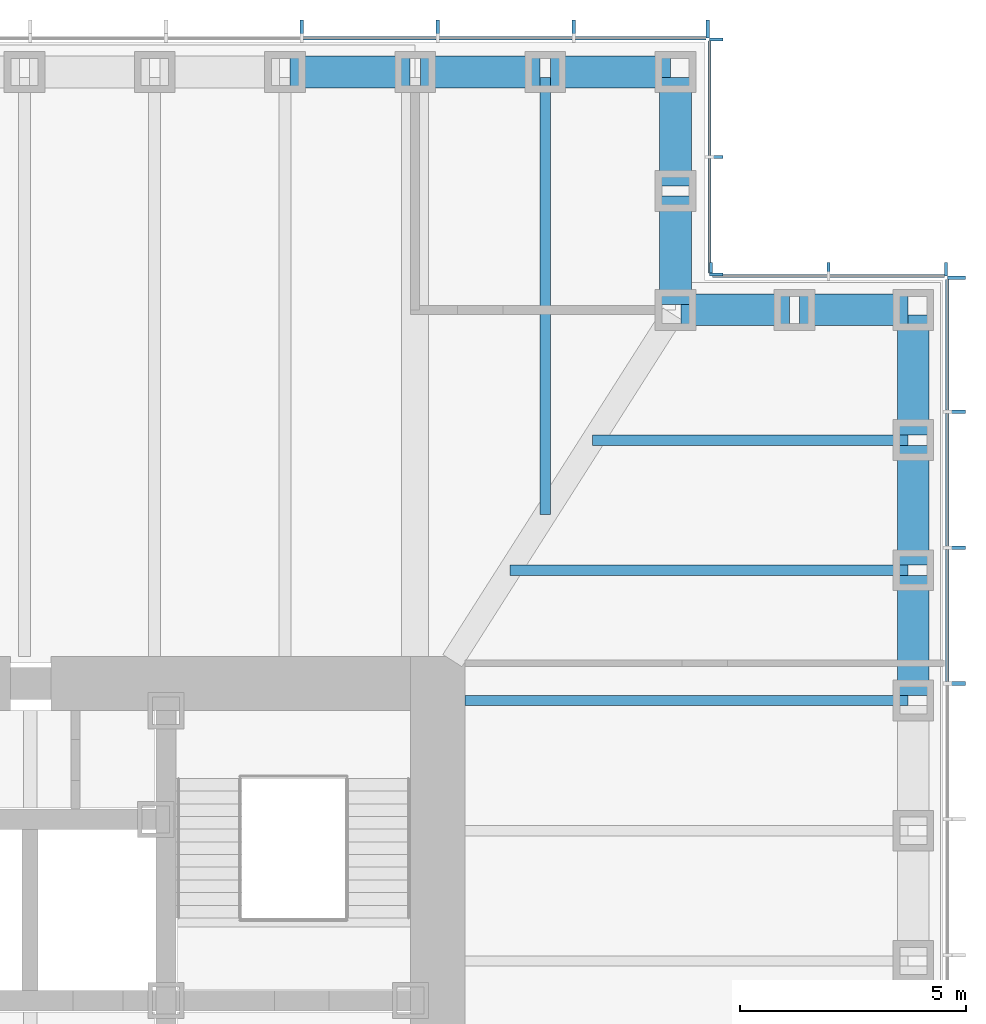
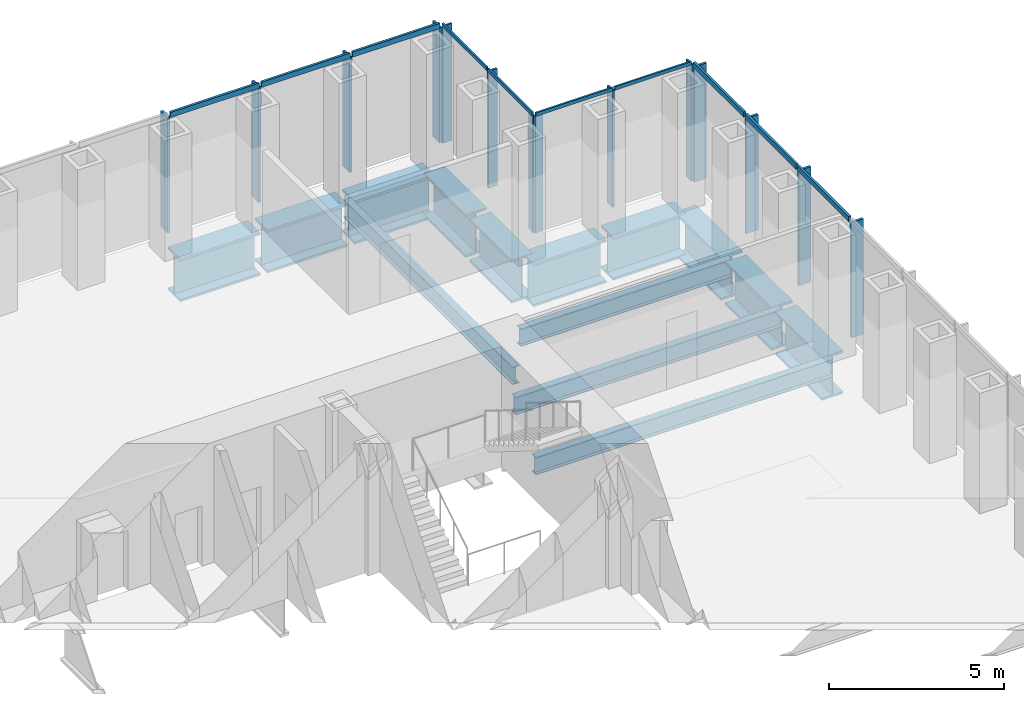
# One storey, part 6 of 16: 24 members, 14 beams, 4 elements without a shape of their own.
"""IFC4 building model written with IfcOpenShell, lengths in metres."""

from ifc_helpers import new_model, si_unit, direction, frame, origin, origin_2d, place, context, subcontext, project, spatial, rectangle, i_section, extrude, material, material_profile, profile_set, type_object, element, aggregate, save


model = new_model("IFC4")

# Units and contexts
model_context = context("Model", 3, precision=1e-05, world=origin(), true_north=direction((0.0, 1.0)))
body_context = subcontext(model_context, "Body", "Model", "MODEL_VIEW")
ifc_project = project(units=[si_unit("LENGTHUNIT", "METRE"), si_unit("AREAUNIT", "SQUARE_METRE"), si_unit("VOLUMEUNIT", "CUBIC_METRE"), si_unit("PLANEANGLEUNIT", "RADIAN"), si_unit("MASSUNIT", "GRAM", prefix="KILO")], contexts=[model_context])

# Site, building, storey
site_placement = place(None, origin())
site = spatial("IfcSite", under=ifc_project, at=site_placement, CompositionType="ELEMENT")
building_placement = place(site_placement, origin())
building = spatial("IfcBuilding", under=site, at=building_placement, Name="Daluyong Arena Tower", CompositionType="ELEMENT")
storey_placement = place(building_placement, frame((0.0, 0.0, 116.5)))
storey = spatial("IfcBuildingStorey", under=building, at=storey_placement, Name="L25", CompositionType="ELEMENT", Elevation=116.5)

# Curtain wall, members
ifc_material_1 = material(Name="Bronze anodised aluminium and glass", Category="aluminium")
curtain_wall_type_1 = type_object("IfcCurtainWallType", Name="Curtain wall CW2", PredefinedType="USERDEFINED", material=ifc_material_1)
curtain_wall_1_placement = place(storey_placement, origin())
curtain_wall_1 = element("IfcCurtainWall", 1, at=curtain_wall_1_placement, inside=storey, type_object=curtain_wall_type_1, Name="curtain wall L25 E", ObjectType="UNITISED CURTAIN WALL", PredefinedType="USERDEFINED")
ifc_material_2 = material(Name="Bronze anodised aluminium fin", Category="aluminium")
ifc_material_profile_1 = material_profile(ifc_material_2, rectangle(XDim=0.39990234375, YDim=0.080078125, at=origin_2d()))
ifc_profile_set_1 = profile_set([ifc_material_profile_1], Name="Bronze anodised aluminium fin")
member_type_1 = type_object("IfcMemberType", Name="CW2 bronze fin 400x80", PredefinedType="MULLION", material=ifc_profile_set_1)
member_1_placement = place(storey_placement, frame((79.449951171875, 89.0, 0.0), z_axis=(0.0, 0.0, 1.0), x_axis=(-1.0, 0.0, 0.0)))
member_1 = element("IfcMember", 2, at=member_1_placement, type_object=member_type_1, Name="curtain wall L25 E fin 10", PredefinedType="MULLION", context=body_context, shape_type="SweptSolid", body=[
    extrude(rectangle(XDim=0.39990234375, YDim=0.080078125, at=origin_2d()), origin(), (0.0, 0.0, 1.0), 4.02001953125),
])
member_2_placement = place(storey_placement, frame((79.449951171875, 92.0, 0.0), z_axis=(0.0, 0.0, 1.0), x_axis=(-1.0, 0.0, 0.0)))
member_2 = element("IfcMember", 3, at=member_2_placement, type_object=member_type_1, Name="curtain wall L25 E fin 11", PredefinedType="MULLION", context=body_context, shape_type="SweptSolid", body=[
    extrude(rectangle(XDim=0.39990234375, YDim=0.080078125, at=origin_2d()), origin(), (0.0, 0.0, 1.0), 4.02001953125),
])
member_3_placement = place(storey_placement, frame((79.449951171875, 95.0, 0.0), z_axis=(0.0, 0.0, 1.0), x_axis=(-1.0, 0.0, 0.0)))
member_3 = element("IfcMember", 4, at=member_3_placement, type_object=member_type_1, Name="curtain wall L25 E fin 12", PredefinedType="MULLION", context=body_context, shape_type="SweptSolid", body=[
    extrude(rectangle(XDim=0.39990234375, YDim=0.080078125, at=origin_2d()), origin(), (0.0, 0.0, 1.0), 4.02001953125),
])
member_4_placement = place(storey_placement, frame((79.449951171875, 97.9599609375, 0.0), z_axis=(0.0, 0.0, 1.0), x_axis=(-1.0, 0.0, 0.0)))
member_4 = element("IfcMember", 5, at=member_4_placement, type_object=member_type_1, Name="curtain wall L25 E fin 13", PredefinedType="MULLION", context=body_context, shape_type="SweptSolid", body=[
    extrude(rectangle(XDim=0.39990234375, YDim=0.080078125, at=origin_2d()), origin(), (0.0, 0.0, 1.0), 4.02001953125),
])

curtain_wall_2_placement = place(storey_placement, origin())
curtain_wall_2 = element("IfcCurtainWall", 6, at=curtain_wall_2_placement, inside=storey, type_object=curtain_wall_type_1, Name="curtain wall L25 N", ObjectType="UNITISED CURTAIN WALL", PredefinedType="USERDEFINED")
member_5_placement = place(storey_placement, frame((73.9599609375, 103.449951171875, 0.0), z_axis=(0.0, 0.0, 1.0), x_axis=(0.0, -1.0, 0.0)))
member_5 = element("IfcMember", 7, at=member_5_placement, type_object=member_type_1, Name="curtain wall L25 N fin 1", PredefinedType="MULLION", context=body_context, shape_type="SweptSolid", body=[
    extrude(rectangle(XDim=0.39990234375, YDim=0.080078125, at=origin_2d()), origin(), (0.0, 0.0, 1.0), 4.02001953125),
])
member_6_placement = place(storey_placement, frame((71.0, 103.449951171875, 0.0), z_axis=(0.0, 0.0, 1.0), x_axis=(0.0, -1.0, 0.0)))
member_6 = element("IfcMember", 8, at=member_6_placement, type_object=member_type_1, Name="curtain wall L25 N fin 2", PredefinedType="MULLION", context=body_context, shape_type="SweptSolid", body=[
    extrude(rectangle(XDim=0.39990234375, YDim=0.080078125, at=origin_2d()), origin(), (0.0, 0.0, 1.0), 4.02001953125),
])
member_7_placement = place(storey_placement, frame((68.0, 103.449951171875, 0.0), z_axis=(0.0, 0.0, 1.0), x_axis=(0.0, -1.0, 0.0)))
member_7 = element("IfcMember", 9, at=member_7_placement, type_object=member_type_1, Name="curtain wall L25 N fin 3", PredefinedType="MULLION", context=body_context, shape_type="SweptSolid", body=[
    extrude(rectangle(XDim=0.39990234375, YDim=0.080078125, at=origin_2d()), origin(), (0.0, 0.0, 1.0), 4.02001953125),
])
member_8_placement = place(storey_placement, frame((65.0, 103.449951171875, 0.0), z_axis=(0.0, 0.0, 1.0), x_axis=(0.0, -1.0, 0.0)))
member_8 = element("IfcMember", 10, at=member_8_placement, type_object=member_type_1, Name="curtain wall L25 N fin 4", PredefinedType="MULLION", context=body_context, shape_type="SweptSolid", body=[
    extrude(rectangle(XDim=0.39990234375, YDim=0.080078125, at=origin_2d()), origin(), (0.0, 0.0, 1.0), 4.02001953125),
])

# Member
ifc_material_3 = material(Name="Bronze anodised aluminium", Category="aluminium")
ifc_material_profile_2 = material_profile(ifc_material_3, rectangle(XDim=0.080078125, YDim=0.179931640625, at=origin_2d()))
ifc_profile_set_2 = profile_set([ifc_material_profile_2], Name="Bronze anodised aluminium")
member_type_2 = type_object("IfcMemberType", Name="CW2 stack transom 180x80", PredefinedType="USERDEFINED", material=ifc_profile_set_2)
member_9_placement = place(storey_placement, frame((79.25, 89.0400390625, 4.110107421875), z_axis=(0.0, 1.0, 0.0), x_axis=(-1.0, 0.0, 0.0)))
member_9 = element("IfcMember", 11, at=member_9_placement, type_object=member_type_2, Name="curtain wall L25 E transom 10", ObjectType="TRANSOM", PredefinedType="USERDEFINED", context=body_context, shape_type="SweptSolid", body=[
    extrude(rectangle(XDim=0.080078125, YDim=0.179931640625, at=origin_2d()), origin(), (0.0, 0.0, 1.0), 2.919921875),
])

member_10_placement = place(storey_placement, frame((79.25, 92.0400390625, 4.110107421875), z_axis=(0.0, 1.0, 0.0), x_axis=(-1.0, 0.0, 0.0)))
member_10 = element("IfcMember", 12, at=member_10_placement, type_object=member_type_2, Name="curtain wall L25 E transom 11", ObjectType="TRANSOM", PredefinedType="USERDEFINED", context=body_context, shape_type="SweptSolid", body=[
    extrude(rectangle(XDim=0.080078125, YDim=0.179931640625, at=origin_2d()), origin(), (0.0, 0.0, 1.0), 2.919921875),
])

member_11_placement = place(storey_placement, frame((79.25, 95.0400390625, 4.110107421875), z_axis=(0.0, 1.0, 0.0), x_axis=(-1.0, 0.0, 0.0)))
member_11 = element("IfcMember", 13, at=member_11_placement, type_object=member_type_2, Name="curtain wall L25 E transom 12", ObjectType="TRANSOM", PredefinedType="USERDEFINED", context=body_context, shape_type="SweptSolid", body=[
    extrude(rectangle(XDim=0.080078125, YDim=0.179931640625, at=origin_2d()), origin(), (0.0, 0.0, 1.0), 2.8798828125),
])

aggregate(curtain_wall_1, [member_1, member_2, member_3, member_4, member_9, member_10, member_11])

member_12_placement = place(storey_placement, frame((73.919921875, 103.25, 4.110107421875), z_axis=(-1.0, 0.0, 0.0), x_axis=(0.0, -1.0, 0.0)))
member_12 = element("IfcMember", 14, at=member_12_placement, type_object=member_type_2, Name="curtain wall L25 N transom 1", ObjectType="TRANSOM", PredefinedType="USERDEFINED", context=body_context, shape_type="SweptSolid", body=[
    extrude(rectangle(XDim=0.080078125, YDim=0.179931640625, at=origin_2d()), origin(), (0.0, 0.0, 1.0), 2.8798828125),
])

member_13_placement = place(storey_placement, frame((70.9599609375, 103.25, 4.110107421875), z_axis=(-1.0, 0.0, 0.0), x_axis=(0.0, -1.0, 0.0)))
member_13 = element("IfcMember", 15, at=member_13_placement, type_object=member_type_2, Name="curtain wall L25 N transom 2", ObjectType="TRANSOM", PredefinedType="USERDEFINED", context=body_context, shape_type="SweptSolid", body=[
    extrude(rectangle(XDim=0.080078125, YDim=0.179931640625, at=origin_2d()), origin(), (0.0, 0.0, 1.0), 2.919921875),
])

member_14_placement = place(storey_placement, frame((67.9599609375, 103.25, 4.110107421875), z_axis=(-1.0, 0.0, 0.0), x_axis=(0.0, -1.0, 0.0)))
member_14 = element("IfcMember", 16, at=member_14_placement, type_object=member_type_2, Name="curtain wall L25 N transom 3", ObjectType="TRANSOM", PredefinedType="USERDEFINED", context=body_context, shape_type="SweptSolid", body=[
    extrude(rectangle(XDim=0.080078125, YDim=0.179931640625, at=origin_2d()), origin(), (0.0, 0.0, 1.0), 2.919921875),
])

aggregate(curtain_wall_2, [member_5, member_6, member_7, member_8, member_12, member_13, member_14])

# Curtain wall, members
ifc_material_4 = material(Name="Bronze anodised aluminium and glass", Category="aluminium")
curtain_wall_type_2 = type_object("IfcCurtainWallType", Name="Curtain wall CW7", PredefinedType="USERDEFINED", material=ifc_material_4)
curtain_wall_3_placement = place(storey_placement, origin())
curtain_wall_3 = element("IfcCurtainWall", 17, at=curtain_wall_3_placement, inside=storey, type_object=curtain_wall_type_2, Name="curtain wall L25 NE-N", ObjectType="UNITISED CURTAIN WALL", PredefinedType="USERDEFINED")
ifc_material_5 = material(Name="Bronze anodised aluminium fin", Category="aluminium")
ifc_material_profile_3 = material_profile(ifc_material_5, rectangle(XDim=0.300048828125, YDim=0.06005859375, at=origin_2d()))
ifc_profile_set_3 = profile_set([ifc_material_profile_3], Name="Bronze anodised aluminium fin")
member_type_3 = type_object("IfcMemberType", Name="CW7 bronze fin 300x60", PredefinedType="MULLION", material=ifc_profile_set_3)
member_15_placement = place(storey_placement, frame((79.219970703125, 98.14990234375, 0.0), z_axis=(0.0, 0.0, 1.0), x_axis=(0.0, -1.0, 0.0)))
member_15 = element("IfcMember", 18, at=member_15_placement, type_object=member_type_3, Name="curtain wall L25 NE-N fin 1", PredefinedType="MULLION", context=body_context, shape_type="SweptSolid", body=[
    extrude(rectangle(XDim=0.300048828125, YDim=0.06005859375, at=origin_2d()), origin(), (0.0, 0.0, 1.0), 4.080078125),
])
member_16_placement = place(storey_placement, frame((76.625, 98.14990234375, 0.0), z_axis=(0.0, 0.0, 1.0), x_axis=(0.0, -1.0, 0.0)))
member_16 = element("IfcMember", 19, at=member_16_placement, type_object=member_type_3, Name="curtain wall L25 NE-N fin 2", PredefinedType="MULLION", context=body_context, shape_type="SweptSolid", body=[
    extrude(rectangle(XDim=0.300048828125, YDim=0.06005859375, at=origin_2d()), origin(), (0.0, 0.0, 1.0), 4.080078125),
])
member_17_placement = place(storey_placement, frame((74.030029296875, 98.14990234375, 0.0), z_axis=(0.0, 0.0, 1.0), x_axis=(0.0, -1.0, 0.0)))
member_17 = element("IfcMember", 20, at=member_17_placement, type_object=member_type_3, Name="curtain wall L25 NE-N fin 3", PredefinedType="MULLION", context=body_context, shape_type="SweptSolid", body=[
    extrude(rectangle(XDim=0.300048828125, YDim=0.06005859375, at=origin_2d()), origin(), (0.0, 0.0, 1.0), 4.080078125),
])

curtain_wall_4_placement = place(storey_placement, origin())
curtain_wall_4 = element("IfcCurtainWall", 21, at=curtain_wall_4_placement, inside=storey, type_object=curtain_wall_type_2, Name="curtain wall L25 NE-E", ObjectType="UNITISED CURTAIN WALL", PredefinedType="USERDEFINED")
member_18_placement = place(storey_placement, frame((74.14990234375, 98.030029296875, 0.0), z_axis=(0.0, 0.0, 1.0), x_axis=(-1.0, 0.0, 0.0)))
member_18 = element("IfcMember", 22, at=member_18_placement, type_object=member_type_3, Name="curtain wall L25 NE-E fin 1", PredefinedType="MULLION", context=body_context, shape_type="SweptSolid", body=[
    extrude(rectangle(XDim=0.300048828125, YDim=0.06005859375, at=origin_2d()), origin(), (0.0, 0.0, 1.0), 4.080078125),
])
member_19_placement = place(storey_placement, frame((74.14990234375, 100.625, 0.0), z_axis=(0.0, 0.0, 1.0), x_axis=(-1.0, 0.0, 0.0)))
member_19 = element("IfcMember", 23, at=member_19_placement, type_object=member_type_3, Name="curtain wall L25 NE-E fin 2", PredefinedType="MULLION", context=body_context, shape_type="SweptSolid", body=[
    extrude(rectangle(XDim=0.300048828125, YDim=0.06005859375, at=origin_2d()), origin(), (0.0, 0.0, 1.0), 4.080078125),
])
member_20_placement = place(storey_placement, frame((74.14990234375, 103.219970703125, 0.0), z_axis=(0.0, 0.0, 1.0), x_axis=(-1.0, 0.0, 0.0)))
member_20 = element("IfcMember", 24, at=member_20_placement, type_object=member_type_3, Name="curtain wall L25 NE-E fin 3", PredefinedType="MULLION", context=body_context, shape_type="SweptSolid", body=[
    extrude(rectangle(XDim=0.300048828125, YDim=0.06005859375, at=origin_2d()), origin(), (0.0, 0.0, 1.0), 4.080078125),
])

# Member
ifc_material_6 = material(Name="Bronze anodised aluminium", Category="aluminium")
ifc_material_profile_4 = material_profile(ifc_material_6, rectangle(XDim=0.06005859375, YDim=0.1201171875, at=origin_2d()))
ifc_profile_set_4 = profile_set([ifc_material_profile_4], Name="Bronze anodised aluminium")
member_type_4 = type_object("IfcMemberType", Name="CW7 stack transom 120x60", PredefinedType="USERDEFINED", material=ifc_profile_set_4)
member_21_placement = place(storey_placement, frame((79.18994140625, 98.0, 4.139892578125), z_axis=(-1.0, 0.0, 0.0), x_axis=(0.0, -1.0, 0.0)))
member_21 = element("IfcMember", 25, at=member_21_placement, type_object=member_type_4, Name="curtain wall L25 NE-N transom 1", ObjectType="TRANSOM", PredefinedType="USERDEFINED", context=body_context, shape_type="SweptSolid", body=[
    extrude(rectangle(XDim=0.06005859375, YDim=0.1201171875, at=origin_2d()), origin(), (0.0, 0.0, 1.0), 2.534912109375),
])

member_22_placement = place(storey_placement, frame((76.594970703125, 98.0, 4.139892578125), z_axis=(-1.0, 0.0, 0.0), x_axis=(0.0, -1.0, 0.0)))
member_22 = element("IfcMember", 26, at=member_22_placement, type_object=member_type_4, Name="curtain wall L25 NE-N transom 2", ObjectType="TRANSOM", PredefinedType="USERDEFINED", context=body_context, shape_type="SweptSolid", body=[
    extrude(rectangle(XDim=0.06005859375, YDim=0.1201171875, at=origin_2d()), origin(), (0.0, 0.0, 1.0), 2.534912109375),
])

aggregate(curtain_wall_3, [member_15, member_16, member_17, member_21, member_22])

member_23_placement = place(storey_placement, frame((74.0, 98.06005859375, 4.139892578125), z_axis=(0.0, 1.0, 0.0), x_axis=(-1.0, 0.0, 0.0)))
member_23 = element("IfcMember", 27, at=member_23_placement, type_object=member_type_4, Name="curtain wall L25 NE-E transom 1", ObjectType="TRANSOM", PredefinedType="USERDEFINED", context=body_context, shape_type="SweptSolid", body=[
    extrude(rectangle(XDim=0.06005859375, YDim=0.1201171875, at=origin_2d()), origin(), (0.0, 0.0, 1.0), 2.534912109375),
])

member_24_placement = place(storey_placement, frame((74.0, 100.655029296875, 4.139892578125), z_axis=(0.0, 1.0, 0.0), x_axis=(-1.0, 0.0, 0.0)))
member_24 = element("IfcMember", 28, at=member_24_placement, type_object=member_type_4, Name="curtain wall L25 NE-E transom 2", ObjectType="TRANSOM", PredefinedType="USERDEFINED", context=body_context, shape_type="SweptSolid", body=[
    extrude(rectangle(XDim=0.06005859375, YDim=0.1201171875, at=origin_2d()), origin(), (0.0, 0.0, 1.0), 2.534912109375),
])

aggregate(curtain_wall_4, [member_18, member_19, member_20, member_23, member_24])

# Beams
ifc_material_7 = material(Name="Steel ASTM A992 Grade 50", Category="steel")
ifc_material_profile_5 = material_profile(ifc_material_7, i_section(OverallWidth=0.22900390625, OverallDepth=0.612060546875, WebThickness=0.011962890625, FlangeThickness=0.01953125, at=origin_2d()))
ifc_profile_set_5 = profile_set([ifc_material_profile_5], Name="Steel ASTM A992 Grade 50")
beam_type_1 = type_object("IfcBeamType", Name="Floor beam W24X84", PredefinedType="BEAM", material=ifc_profile_set_5)
beam_1_placement = place(storey_placement, frame((78.385009765625, 88.625, -0.466064453125), z_axis=(-1.0, 0.0, 0.0), x_axis=(0.0, -1.0, 0.0)))
element("IfcBeam", 29, at=beam_1_placement, inside=storey, type_object=beam_type_1, Name="floor beam FB3", PredefinedType="BEAM", context=body_context, shape_type="SweptSolid", body=[
    extrude(i_section(OverallWidth=0.22900390625, OverallDepth=0.612060546875, WebThickness=0.011962890625, FlangeThickness=0.01953125, at=origin_2d()), origin(), (0.0, 0.0, 1.0), 9.784912109375),
])
beam_2_placement = place(storey_placement, frame((78.385009765625, 91.5, -0.466064453125), z_axis=(-1.0, 0.0, 0.0), x_axis=(0.0, -1.0, 0.0)))
element("IfcBeam", 30, at=beam_2_placement, inside=storey, type_object=beam_type_1, Name="floor beam FB3", PredefinedType="BEAM", context=body_context, shape_type="SweptSolid", body=[
    extrude(i_section(OverallWidth=0.22900390625, OverallDepth=0.612060546875, WebThickness=0.011962890625, FlangeThickness=0.01953125, at=origin_2d()), origin(), (0.0, 0.0, 1.0), 8.794189453125),
])
beam_3_placement = place(storey_placement, frame((78.385009765625, 94.375, -0.466064453125), z_axis=(-1.0, 0.0, 0.0), x_axis=(0.0, -1.0, 0.0)))
element("IfcBeam", 31, at=beam_3_placement, inside=storey, type_object=beam_type_1, Name="floor beam FB3", PredefinedType="BEAM", context=body_context, shape_type="SweptSolid", body=[
    extrude(i_section(OverallWidth=0.22900390625, OverallDepth=0.612060546875, WebThickness=0.011962890625, FlangeThickness=0.01953125, at=origin_2d()), origin(), (0.0, 0.0, 1.0), 6.964599609375),
])
beam_4_placement = place(storey_placement, frame((70.375, 102.385009765625, -0.466064453125), z_axis=(0.0, -1.0, 0.0), x_axis=(1.0, 0.0, 0.0)))
element("IfcBeam", 32, at=beam_4_placement, inside=storey, type_object=beam_type_1, Name="floor beam FB3", PredefinedType="BEAM", context=body_context, shape_type="SweptSolid", body=[
    extrude(i_section(OverallWidth=0.22900390625, OverallDepth=0.612060546875, WebThickness=0.011962890625, FlangeThickness=0.01953125, at=origin_2d()), origin(), (0.0, 0.0, 1.0), 9.65283203125),
])
ifc_material_8 = material(Name="Steel ASTM A572 Grade 50", Category="steel")
ifc_material_profile_6 = material_profile(ifc_material_8, i_section(OverallWidth=0.699951171875, OverallDepth=1.5, WebThickness=0.04, FlangeThickness=0.08, at=origin_2d()))
ifc_profile_set_6 = profile_set([ifc_material_profile_6], Name="Steel ASTM A572 Grade 50")
beam_type_2 = type_object("IfcBeamType", Name="Spandrel Z2 PG1500X700", PredefinedType="SPANDREL", material=ifc_profile_set_6)
for number, where, z_axis, x_axis, name in (
    (33, (78.5, 88.739990234375, -0.909912109375), (0.0, 1.0, 0.0), (-1.0, 0.0, 0.0), "spandrel z2 SB6"),
    (34, (78.5, 91.614990234375, -0.909912109375), (0.0, 1.0, 0.0), (-1.0, 0.0, 0.0), "spandrel z2 SB6"),
    (35, (78.5, 94.489990234375, -0.909912109375), (0.0, 1.0, 0.0), (-1.0, 0.0, 0.0), "spandrel z2 SB6"),
):
    element("IfcBeam", number, at=place(storey_placement, frame(where, z_axis=z_axis, x_axis=x_axis)), inside=storey, type_object=beam_type_2, Name=name, PredefinedType="SPANDREL", context=body_context, shape_type="SweptSolid", body=[
        extrude(i_section(OverallWidth=0.699951171875, OverallDepth=1.5, WebThickness=0.04, FlangeThickness=0.08, at=origin_2d()), origin(), (0.0, 0.0, 1.0), 2.64501953125),
    ])
for number, where, z_axis, x_axis, name in (
    (36, (78.385009765625, 97.25, -0.909912109375), (-1.0, 0.0, 0.0), (0.0, -1.0, 0.0), "spandrel z2 SB6"),
    (37, (75.760009765625, 97.25, -0.909912109375), (-1.0, 0.0, 0.0), (0.0, -1.0, 0.0), "spandrel z2 SB6"),
    (38, (73.25, 97.364990234375, -0.909912109375), (0.0, 1.0, 0.0), (-1.0, 0.0, 0.0), "spandrel z2 SB6"),
    (39, (73.25, 99.989990234375, -0.909912109375), (0.0, 1.0, 0.0), (-1.0, 0.0, 0.0), "spandrel z2 SB6"),
):
    element("IfcBeam", number, at=place(storey_placement, frame(where, z_axis=z_axis, x_axis=x_axis)), inside=storey, type_object=beam_type_2, Name=name, PredefinedType="SPANDREL", context=body_context, shape_type="SweptSolid", body=[
        extrude(i_section(OverallWidth=0.699951171875, OverallDepth=1.5, WebThickness=0.04, FlangeThickness=0.08, at=origin_2d()), origin(), (0.0, 0.0, 1.0), 2.39501953125),
    ])
for number, where, z_axis, x_axis, name in (
    (40, (73.135009765625, 102.5, -0.909912109375), (-1.0, 0.0, 0.0), (0.0, -1.0, 0.0), "spandrel z2 SB6"),
    (41, (70.260009765625, 102.5, -0.909912109375), (-1.0, 0.0, 0.0), (0.0, -1.0, 0.0), "spandrel z2 SB6"),
    (42, (67.385009765625, 102.5, -0.909912109375), (-1.0, 0.0, 0.0), (0.0, -1.0, 0.0), "spandrel z2 SB6"),
):
    element("IfcBeam", number, at=place(storey_placement, frame(where, z_axis=z_axis, x_axis=x_axis)), inside=storey, type_object=beam_type_2, Name=name, PredefinedType="SPANDREL", context=body_context, shape_type="SweptSolid", body=[
        extrude(i_section(OverallWidth=0.699951171875, OverallDepth=1.5, WebThickness=0.04, FlangeThickness=0.08, at=origin_2d()), origin(), (0.0, 0.0, 1.0), 2.64501953125),
    ])

save(model, "model.ifc")
